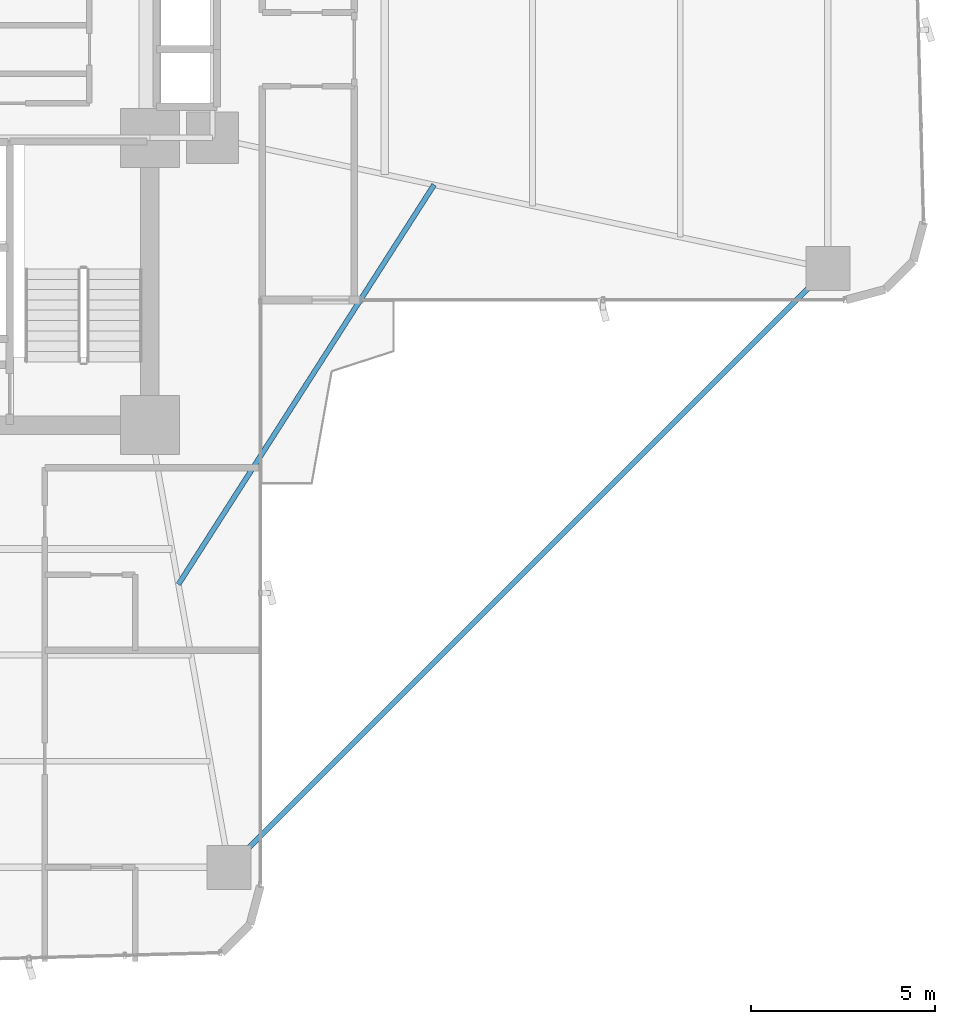
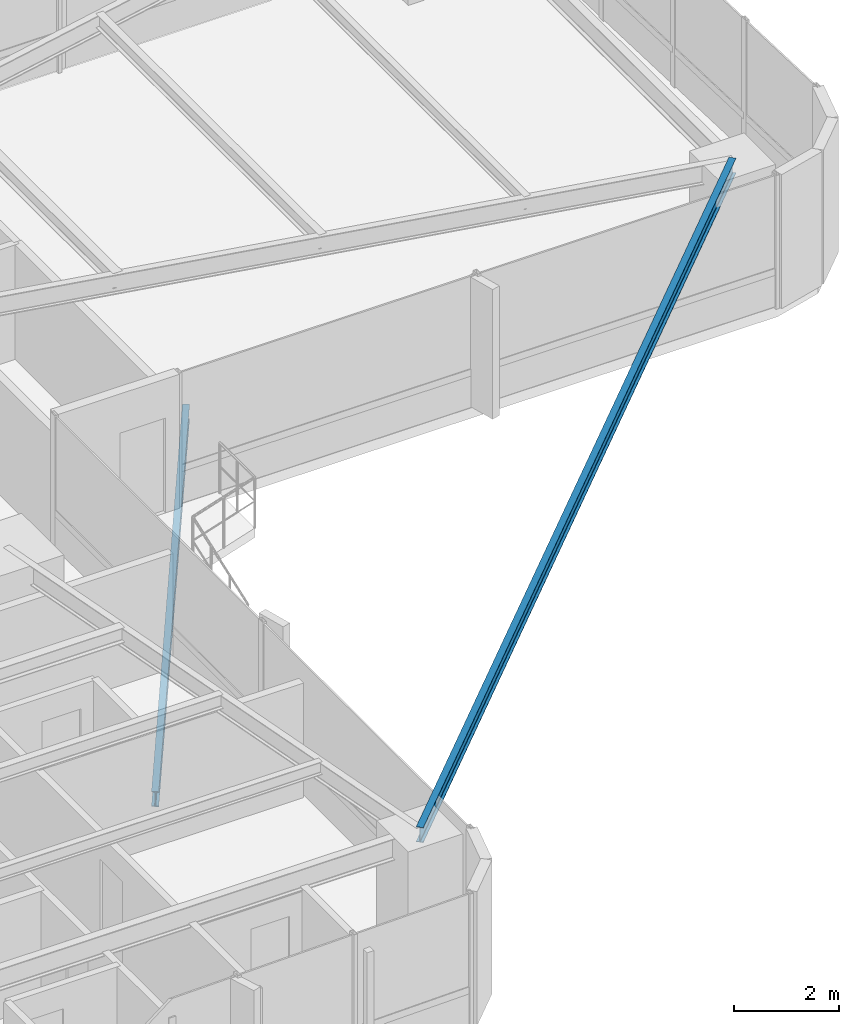
# One storey, part 13 of 25: 2 beams.
"""IFC4 building model written with IfcOpenShell, lengths in metres."""

from ifc_helpers import new_model, si_unit, direction, frame, origin, origin_2d, place, context, subcontext, project, spatial, i_section, extrude, source, transform, mapped, material, material_profile, profile_set, type_object, element, save


model = new_model("IFC4")

# Units and contexts
model_context = context("Model", 3, precision=1e-05, world=origin(), true_north=direction((0.0, 1.0)))
body_context = subcontext(model_context, "Body", "Model", "MODEL_VIEW")
ifc_project = project(units=[si_unit("LENGTHUNIT", "METRE"), si_unit("AREAUNIT", "SQUARE_METRE"), si_unit("VOLUMEUNIT", "CUBIC_METRE"), si_unit("PLANEANGLEUNIT", "RADIAN"), si_unit("MASSUNIT", "GRAM", prefix="KILO")], contexts=[model_context])

# Site, building, storey
site_placement = place(None, origin())
site = spatial("IfcSite", under=ifc_project, at=site_placement, CompositionType="ELEMENT")
building_placement = place(site_placement, origin())
building = spatial("IfcBuilding", under=site, at=building_placement, Name="Sahyath Konkavel Grand Hotel", CompositionType="ELEMENT")
storey_placement = place(building_placement, frame((0.0, 0.0, 67.800048828125)))
storey = spatial("IfcBuildingStorey", under=building, at=storey_placement, Name="L18", CompositionType="ELEMENT", Elevation=67.800048828125)

# Beams
ifc_material = material(Name="Steel E350", Category="steel")
ifc_material_profile_1 = material_profile(ifc_material, i_section(OverallWidth=0.139892578125, OverallDepth=0.35009765625, WebThickness=0.008056640625, FlangeThickness=0.01416015625, FilletRadius=0.013916015625, at=origin_2d()), Name="ISMB 350")
ifc_profile_set_1 = profile_set([ifc_material_profile_1], Name="Steel E350")
beam_type_1 = type_object("IfcBeamType", Name="BM-ISMB350", PredefinedType="BEAM", material=ifc_profile_set_1)
shared_shape_1 = source(origin(), body_context, "Body", "SweptSolid", [
    extrude(i_section(OverallWidth=0.139892578125, OverallDepth=0.35009765625, WebThickness=0.008056640625, FlangeThickness=0.01416015625, FilletRadius=0.013916015625, at=origin_2d()), origin(), (0.0, 0.0, 1.0), 22.98095703125),
])
beam_1_placement = place(storey_placement, frame((22.199951171875, -5.949951171875, 2.93505859375), z_axis=(-0.707106781187, -0.707106781187, 0.0), x_axis=(0.707106781187, -0.707106781187, 0.0)))
element("IfcBeam", 1, at=beam_1_placement, inside=storey, type_object=beam_type_1, Name="L18 Re-Entrant Tie Beam SE", PredefinedType="BEAM", context=body_context, shape_type="MappedRepresentation", body=[
    mapped(shared_shape_1, transform((0.0, 0.0, 0.0), scale=1.0)),
])
ifc_material_profile_2 = material_profile(ifc_material, i_section(OverallWidth=0.139892578125, OverallDepth=0.35009765625, WebThickness=0.008056640625, FlangeThickness=0.01416015625, FilletRadius=0.013916015625, at=origin_2d()), Name="ISMB 350")
ifc_profile_set_2 = profile_set([ifc_material_profile_2], Name="Steel E350")
beam_type_2 = type_object("IfcBeamType", Name="BM-BALC-CANT", PredefinedType="BEAM", material=ifc_profile_set_2)
shared_shape_2 = source(origin(), body_context, "Body", "SweptSolid", [
    extrude(i_section(OverallWidth=0.139892578125, OverallDepth=0.35009765625, WebThickness=0.008056640625, FlangeThickness=0.01416015625, FilletRadius=0.013916015625, at=origin_2d()), origin(), (0.0, 0.0, 1.0), 12.871826171875),
])
beam_2_placement = place(storey_placement, frame((4.573974609375, -14.52001953125, -0.4150390625), z_axis=(0.539003102535, 0.842303778608, 0.0), x_axis=(-0.842303778608, 0.539003102535, 0.0)))
element("IfcBeam", 2, at=beam_2_placement, inside=storey, type_object=beam_type_2, Name="L18 Balcony Cantilever Support Beam SE", PredefinedType="BEAM", context=body_context, shape_type="MappedRepresentation", body=[
    mapped(shared_shape_2, transform((0.0, 0.0, 0.0), scale=1.0)),
])

save(model, "model.ifc")
